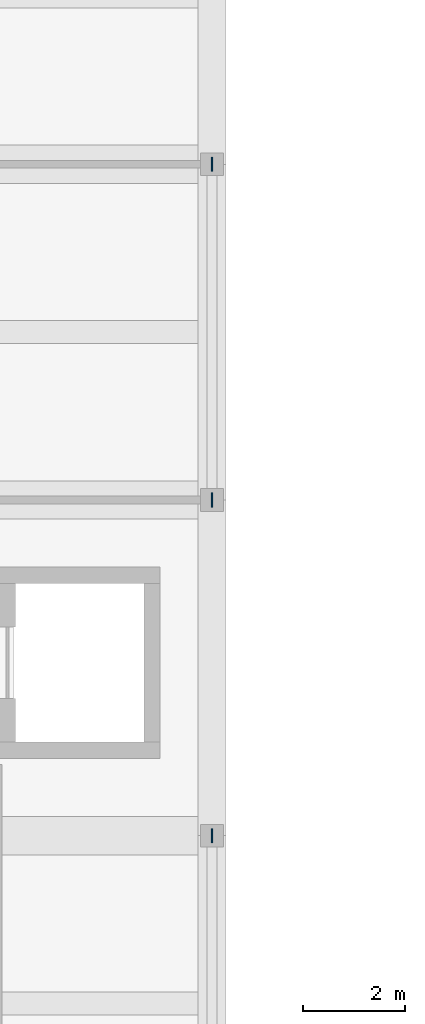
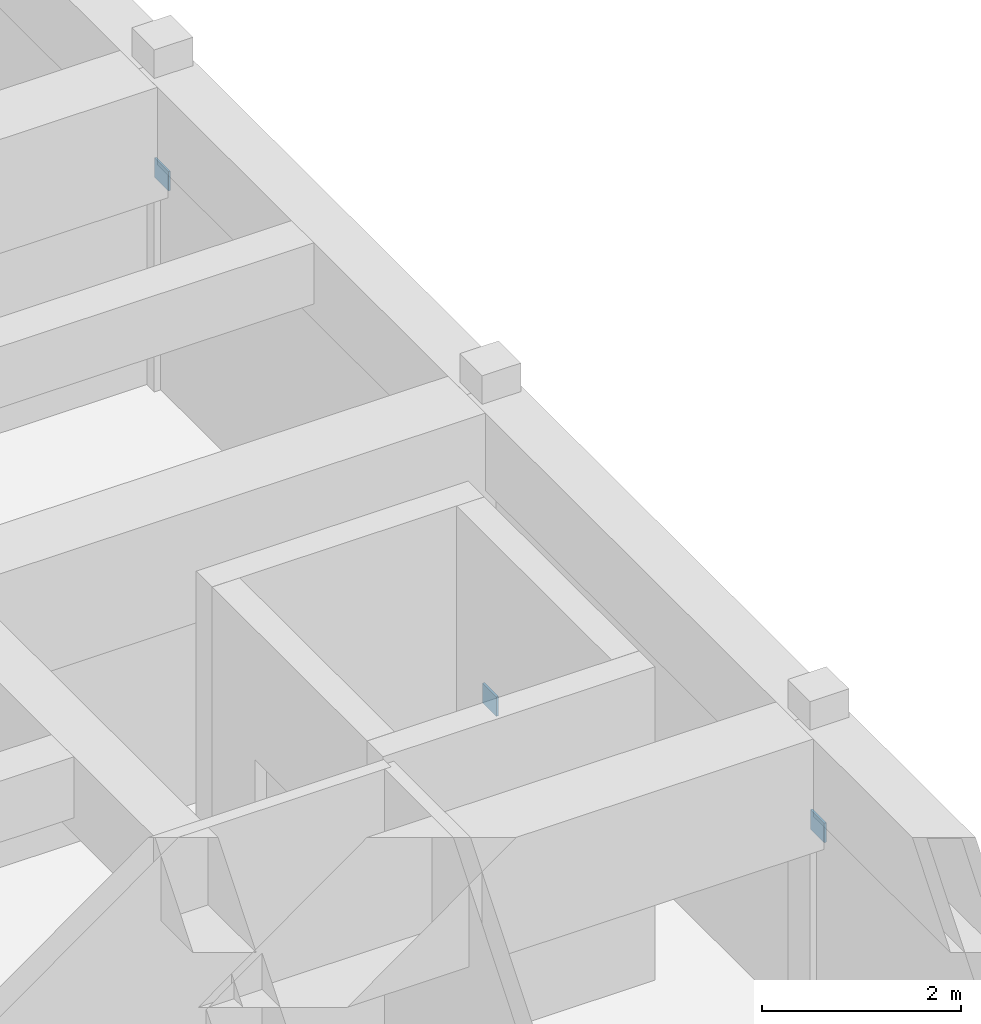
# One storey, part 107 of 130: 3 plates.
"""IFC4 building model written with IfcOpenShell, lengths in metres."""

import ifcopenshell
import ifcopenshell.guid

model = None  # the IFC model being written
_history = None  # IfcOwnerHistory: only IFC2X3 demands one
_inside = {}  # id of a spatial element -> (the spatial element, [elements in it])
_under = {}  # id of a project, library or spatial element -> (it, [spatial elements below it])
_declared = {}  # id of a project -> (the project, [libraries it declares])
_typed = {}  # id of a type object -> (the type object, [elements of that type])
_made_of = {}  # id of a material, layer set ... -> (it, [elements and type objects made of it])


def new_model(schema):
    """Start an empty IFC model of exactly this schema.

    Asked for "IFC4X3", IfcOpenShell would pick the latest addendum, in which some entities
    have other attributes; the version numbers below select the first issue.
    IFC2X3 requires an IfcOwnerHistory on every rooted entity: one is made here for all.
    """
    global model, _history
    if schema == "IFC4X3":
        model = ifcopenshell.file(schema_version=(4, 3, 0, 0))
    else:
        model = ifcopenshell.file(schema=schema)
    _inside.clear()
    _under.clear()
    _declared.clear()
    _typed.clear()
    _made_of.clear()
    _history = None
    if model.schema == "IFC2X3":
        org = make("IfcOrganization", Name="unknown")
        user = make(
            "IfcPersonAndOrganization",
            ThePerson=make("IfcPerson", FamilyName="unknown"),
            TheOrganization=org,
        )
        app = make(
            "IfcApplication",
            ApplicationDeveloper=org,
            Version="unknown",
            ApplicationFullName="unknown",
            ApplicationIdentifier="unknown",
        )
        _history = make(
            "IfcOwnerHistory",
            OwningUser=user,
            OwningApplication=app,
            ChangeAction="ADDED",
            CreationDate=0,
        )
    return model


def make(cls, **values):
    """One entity of the class cls with the attributes given. An attribute that is None is left unset."""
    return model.create_entity(
        cls, **{name: value for name, value in values.items() if value is not None}
    )


def rooted(cls, **values):
    """An entity with a GlobalId (a new one), such as an element, a storey or a relation."""
    return make(cls, GlobalId=ifcopenshell.guid.new(), OwnerHistory=_history, **values)


def si_unit(unit_type, name, prefix=None):
    """IfcSIUnit, for example si_unit("LENGTHUNIT", "METRE", prefix="MILLI")."""
    return make("IfcSIUnit", UnitType=unit_type, Prefix=prefix, Name=name)


def assignment(units):
    """IfcUnitAssignment: the units of a project."""
    return None if units is None else make("IfcUnitAssignment", Units=units)


def point(xyz):
    """IfcCartesianPoint."""
    return None if xyz is None else make("IfcCartesianPoint", Coordinates=xyz)


def direction(xyz):
    """IfcDirection."""
    return None if xyz is None else make("IfcDirection", DirectionRatios=xyz)


def frame(location, z_axis=None, x_axis=None):
    """IfcAxis2Placement3D, a coordinate frame: its origin and axes. An axis left out is left unset."""
    return make(
        "IfcAxis2Placement3D",
        Location=point(location),
        Axis=direction(z_axis),
        RefDirection=direction(x_axis),
    )


def frame_2d(location, x_axis=None):
    """IfcAxis2Placement2D, a coordinate frame in the plane: its origin and x axis."""
    return make(
        "IfcAxis2Placement2D", Location=point(location), RefDirection=direction(x_axis)
    )


def origin():
    """The frame at (0, 0, 0) with its axes left unset."""
    return frame((0.0, 0.0, 0.0))


def origin_2d():
    """The frame at (0, 0) in the plane with its x axis left unset."""
    return frame_2d((0.0, 0.0))


def place(relative_to, where):
    """IfcLocalPlacement: puts the frame where relative to a parent placement (None: the world)."""
    return make(
        "IfcLocalPlacement", PlacementRelTo=relative_to, RelativePlacement=where
    )


def context(
    kind, dimensions, precision=None, world=None, true_north=None, identifier=None
):
    """IfcGeometricRepresentationContext, for example the 3D "Model" context."""
    return make(
        "IfcGeometricRepresentationContext",
        ContextIdentifier=identifier,
        ContextType=kind,
        CoordinateSpaceDimension=dimensions,
        Precision=precision,
        WorldCoordinateSystem=world,
        TrueNorth=true_north,
    )


def subcontext(parent, identifier, kind, view, scale=None):
    """IfcGeometricRepresentationSubContext, for example "Body" below "Model"."""
    return make(
        "IfcGeometricRepresentationSubContext",
        ContextIdentifier=identifier,
        ContextType=kind,
        ParentContext=parent,
        TargetScale=scale,
        TargetView=view,
    )


def project(units=None, contexts=None):
    """IfcProject with its units and contexts."""
    return rooted(
        "IfcProject",
        Name="project",
        RepresentationContexts=contexts,
        UnitsInContext=assignment(units),
    )


def spatial(cls, under=None, at=None, **own):
    """A site, building, storey or space (cls), placed at a placement, below another one or the project."""
    s = rooted(cls, ObjectPlacement=at, **own)
    if under is not None:
        _under.setdefault(under.id(), (under, []))[1].append(s)
    return s


def profile(cls, at=None, kind="AREA", **sizes):
    """A parametric profile (cls). Its sizes go by their IFC names, for example OverallWidth=200.0."""
    return make(cls, ProfileType=kind, Position=at, **sizes)


def rectangle(**sizes):
    """IfcRectangleProfileDef."""
    return profile("IfcRectangleProfileDef", **sizes)


def extrude(swept, where, along, depth):
    """IfcExtrudedAreaSolid: the profile swept, set in the frame where, extruded along a direction by depth."""
    return make(
        "IfcExtrudedAreaSolid",
        SweptArea=swept,
        Position=where,
        ExtrudedDirection=direction(along),
        Depth=depth,
    )


def shape(context_of_items, identifier, shape_type, items):
    """IfcShapeRepresentation: the items that make up one representation, for example the "Body"."""
    return make(
        "IfcShapeRepresentation",
        ContextOfItems=context_of_items,
        RepresentationIdentifier=identifier,
        RepresentationType=shape_type,
        Items=items,
    )


def material(Name=None, Category=None):
    """IfcMaterial."""
    return make("IfcMaterial", Name=Name, Category=Category)


def layer(
    of_material, thickness, ventilated=None, Name=None, Category=None, Priority=None
):
    """IfcMaterialLayer: one layer of a wall or slab, of a material (None: an air gap)."""
    return make(
        "IfcMaterialLayer",
        Material=of_material,
        LayerThickness=thickness,
        IsVentilated=ventilated,
        Name=Name,
        Category=Category,
        Priority=Priority,
    )


def layer_set(layers, Name=None):
    """IfcMaterialLayerSet."""
    return make("IfcMaterialLayerSet", MaterialLayers=layers, LayerSetName=Name)


def made_of(thing, what):
    """Note that an element or type object is made of a material, layer set ...; save() writes the relation."""
    if what is not None:
        _made_of.setdefault(what.id(), (what, []))[1].append(thing)
    return thing


def type_object(cls, material=None, **own):
    """A type object (cls), such as IfcWallType, which elements share."""
    return made_of(rooted(cls, **own), material)


def element(
    cls,
    number,
    at=None,
    inside=None,
    cuts=None,
    type_object=None,
    material=None,
    context=None,
    identifier="Body",
    shape_type=None,
    held_by="IfcProductDefinitionShape",
    body=None,
    shapes=None,
    **own,
):
    """One element of the class cls, such as IfcWall. Its Tag is "e" and its number.

    at: its placement. inside: the storey or other place that contains it. cuts: it is an
    opening in that element (IfcRelVoidsElement). A single representation is given by context,
    identifier, shape_type and body (its items); several are given by shapes. held_by: the class
    of the entity that holds the representations. save() writes the other relations.
    """
    e = rooted(cls, Tag="e%d" % number, ObjectPlacement=at, **own)
    if body is not None:
        shapes = [shape(context, identifier, shape_type, body)]
    if shapes is not None:
        e.Representation = make(held_by, Representations=shapes)
    if inside is not None:
        _inside.setdefault(inside.id(), (inside, []))[1].append(e)
    if cuts is not None:
        rooted(
            "IfcRelVoidsElement", RelatingBuildingElement=cuts, RelatedOpeningElement=e
        )
    if type_object is not None:
        _typed.setdefault(type_object.id(), (type_object, []))[1].append(e)
    return made_of(e, material)


def aggregate(whole, parts):
    """IfcRelAggregates: a whole, such as a stair, and the parts it consists of."""
    return rooted("IfcRelAggregates", RelatingObject=whole, RelatedObjects=parts)


def save(model, path):
    """Write the relations noted so far, then the file.

    IfcRelAggregates (storeys below a building ...), IfcRelContainedInSpatialStructure (elements
    in a storey), IfcRelDefinesByType, IfcRelAssociatesMaterial and IfcRelDeclares: one each for
    every whole, place, type object, material and project.
    """
    for whole, parts in _under.values():
        aggregate(whole, parts)
    for where, things in _inside.values():
        rooted(
            "IfcRelContainedInSpatialStructure",
            RelatedElements=things,
            RelatingStructure=where,
        )
    for kind, things in _typed.values():
        rooted("IfcRelDefinesByType", RelatedObjects=things, RelatingType=kind)
    for what, things in _made_of.values():
        rooted("IfcRelAssociatesMaterial", RelatedObjects=things, RelatingMaterial=what)
    for by, libraries in _declared.values():
        rooted("IfcRelDeclares", RelatingContext=by, RelatedDefinitions=libraries)
    model.write(path)


model = new_model("IFC4")

# Units and contexts
model_context = context("Model", 3, precision=1e-05, world=origin(), true_north=direction((0.0, 1.0)))
body_context = subcontext(model_context, "Body", "Model", "MODEL_VIEW")
ifc_project = project(units=[si_unit("LENGTHUNIT", "METRE"), si_unit("AREAUNIT", "SQUARE_METRE"), si_unit("VOLUMEUNIT", "CUBIC_METRE"), si_unit("PLANEANGLEUNIT", "RADIAN"), si_unit("MASSUNIT", "GRAM", prefix="KILO")], contexts=[model_context])

# Site, building, storey
site_placement = place(None, origin())
site = spatial("IfcSite", under=ifc_project, at=site_placement, CompositionType="ELEMENT")
building_placement = place(site_placement, origin())
building = spatial("IfcBuilding", under=site, at=building_placement, Name="Karori Crest Natural Sciences Institute", CompositionType="ELEMENT")
storey_placement = place(building_placement, frame((0.0, 0.0, 17.5)))
storey = spatial("IfcBuildingStorey", under=building, at=storey_placement, Name="L04", CompositionType="ELEMENT", Elevation=17.5)

# Plates
ifc_material = material(Name="Structural steel AS/NZS 3679.1 Grade 350", Category="steel")
ifc_layer = layer(ifc_material, 0.02490234375, Name="Structural steel AS/NZS 3679.1 Grade 350")
ifc_layer_set = layer_set([ifc_layer], Name="Structural steel AS/NZS 3679.1 Grade 350")
plate_type = type_object("IfcPlateType", Name="PLT-06-EL", PredefinedType="SHEET", material=ifc_layer_set)
for number, where, z_axis, x_axis, name in (
    (1, (27.199951171875, 101.60009765625, 2.33984375), (0.0, 0.0, 1.0), (0.0, 1.0, 0.0), "Brace gusset plate EP-0379"),
    (2, (27.199951171875, 108.199951171875, -0.10986328125), (0.0, 0.0, 1.0), (0.0, 1.0, 0.0), "Brace gusset plate EP-0466"),
    (3, (27.199951171875, 114.800048828125, 2.33984375), (0.0, 0.0, 1.0), (0.0, 1.0, 0.0), "Brace gusset plate EP-0467"),
):
    element("IfcPlate", number, at=place(storey_placement, frame(where, z_axis=z_axis, x_axis=x_axis)), inside=storey, type_object=plate_type, Name=name, PredefinedType="SHEET", context=body_context, shape_type="SweptSolid", body=[
        extrude(rectangle(XDim=0.280029296875, YDim=0.02490234375, at=origin_2d()), origin(), (0.0, 0.0, 1.0), 0.239990234375),
    ])

save(model, "model.ifc")
